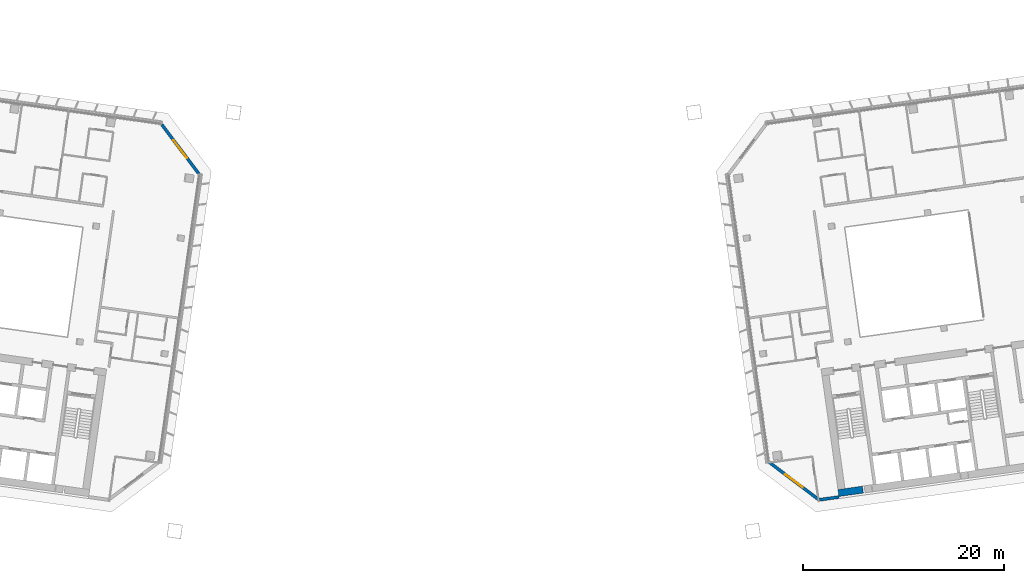
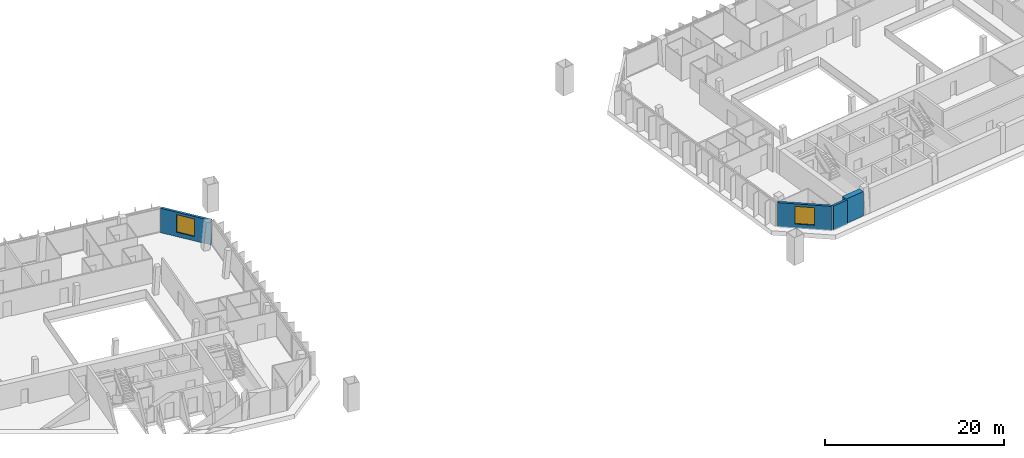
# One storey, part 16 of 22: 4 walls, 2 windows, 2 openings.
"""IFC4 building model written with IfcOpenShell, lengths in metres."""

from ifc_helpers import new_model, si_unit, direction, frame, frame_2d, origin, place, context, subcontext, project, spatial, rectangle, extrude, material, layer, layer_set, type_object, element, fill, save


model = new_model("IFC4")

# Units and contexts
model_context = context("Model", 3, precision=1e-05, world=origin(), true_north=direction((0.0, 1.0)))
body_context = subcontext(model_context, "Body", "Model", "MODEL_VIEW")
ifc_project = project(units=[si_unit("LENGTHUNIT", "METRE"), si_unit("AREAUNIT", "SQUARE_METRE"), si_unit("VOLUMEUNIT", "CUBIC_METRE"), si_unit("PLANEANGLEUNIT", "RADIAN"), si_unit("MASSUNIT", "GRAM", prefix="KILO")], contexts=[model_context])

# Site, building, storey
site_placement = place(None, origin())
site = spatial("IfcSite", under=ifc_project, at=site_placement, CompositionType="ELEMENT")
building_placement = place(site_placement, origin())
building = spatial("IfcBuilding", under=site, at=building_placement, Name="Mirante Cascada Hotel Towers", CompositionType="ELEMENT")
storey_placement = place(building_placement, frame((0.0, 0.0, 191.6)))
storey = spatial("IfcBuildingStorey", under=building, at=storey_placement, Name="L45", CompositionType="ELEMENT", Elevation=191.6)

# Wall, opening, window
ifc_material_1 = material(Name="Precast concrete C40/50", Category="concrete")
ifc_layer_1 = layer(ifc_material_1, 0.3)
ifc_layer_set_1 = layer_set([ifc_layer_1], Name="Precast concrete C40/50 cladding wall 300")
wall_type_1 = type_object("IfcWallType", Name="Precast concrete C40/50 cladding wall 300", PredefinedType="STANDARD", material=ifc_layer_set_1)
wall_1_placement = place(storey_placement, frame((-30.0061, 16.9918, 0.0), z_axis=(0.0, 0.0, 1.0), x_axis=(0.6018141, -0.7986362, 0.0)))
wall_1 = element("IfcWall", 1, at=wall_1_placement, inside=storey, type_object=wall_type_1, Name="Corner cladding wall T1 L45 front inner", PredefinedType="STANDARD", context=body_context, shape_type="SweptSolid", body=[
    extrude(rectangle(XDim=6.1157, YDim=0.3, at=frame_2d((3.0578, 0.0))), origin(), (0.0, 0.0, 1.0), 3.35),
])
opening_1_placement = place(wall_1_placement, frame((1.9578, 0.0, 0.6)))
opening_1 = element("IfcOpeningElement", 2, at=opening_1_placement, cuts=wall_1, Name="Opening W1-45-03", PredefinedType="OPENING", context=body_context, shape_type="SweptSolid", body=[
    extrude(rectangle(XDim=2.2, YDim=2.4, at=frame_2d((1.1, 1.2))), frame((0.0, 0.15, 0.0), z_axis=(0.0, -1.0, 0.0), x_axis=(1.0, 0.0, 0.0)), (0.0, 0.0, 1.0), 0.3),
])
ifc_material_2 = material(Name="Aluminium frame with clear double glazing", Category="aluminium")
window_type = type_object("IfcWindowType", Name="Corner suite window 2200x2400", PartitioningType="DOUBLE_PANEL_VERTICAL", PredefinedType="WINDOW", material=ifc_material_2)
window_1_placement = place(opening_1_placement, origin())
window_1 = element("IfcWindow", 3, at=window_1_placement, inside=storey, type_object=window_type, Name="Window W1-45-03", OverallHeight=2.4, OverallWidth=2.2, PartitioningType="SINGLE_PANEL", PredefinedType="WINDOW", context=body_context, shape_type="SweptSolid", body=[
    extrude(rectangle(XDim=2.2, YDim=2.4, at=frame_2d((1.1, 1.2))), frame((0.0, 0.03, 0.0), z_axis=(0.0, -1.0, 0.0), x_axis=(1.0, 0.0, 0.0)), (0.0, 0.0, 1.0), 0.06),
])
fill(opening_1, window_1)

# Wall
wall_2_placement = place(storey_placement, frame((35.3517, -20.2831, 0.0), z_axis=(0.0, 0.0, 1.0), x_axis=(0.9902668, 0.1391824, 0.0)))
element("IfcWall", 4, at=wall_2_placement, inside=storey, type_object=wall_type_1, Name="Rear cladding wall T2 L45 1", PredefinedType="STANDARD", context=body_context, shape_type="SweptSolid", body=[
    extrude(rectangle(XDim=1.9449, YDim=0.3, at=frame_2d((0.9724, 0.0))), origin(), (0.0, 0.0, 1.0), 3.35),
])

# Wall, opening, window
wall_3_placement = place(storey_placement, frame((30.3565, -16.5739, 0.0), z_axis=(0.0, 0.0, 1.0), x_axis=(0.7986362, -0.6018141, 0.0)))
wall_3 = element("IfcWall", 5, at=wall_3_placement, inside=storey, type_object=wall_type_1, Name="Corner cladding wall T2 L45 inner rear", PredefinedType="STANDARD", context=body_context, shape_type="SweptSolid", body=[
    extrude(rectangle(XDim=6.1157, YDim=0.3, at=frame_2d((3.0578, 0.0))), origin(), (0.0, 0.0, 1.0), 3.35),
])
opening_2_placement = place(wall_3_placement, frame((1.9578, 0.0, 0.6)))
opening_2 = element("IfcOpeningElement", 6, at=opening_2_placement, cuts=wall_3, Name="Opening W2-45-04", PredefinedType="OPENING", context=body_context, shape_type="SweptSolid", body=[
    extrude(rectangle(XDim=2.2, YDim=2.4, at=frame_2d((1.1, 1.2))), frame((0.0, 0.15, 0.0), z_axis=(0.0, -1.0, 0.0), x_axis=(1.0, 0.0, 0.0)), (0.0, 0.0, 1.0), 0.3),
])
window_2_placement = place(opening_2_placement, origin())
window_2 = element("IfcWindow", 7, at=window_2_placement, inside=storey, type_object=window_type, Name="Window W2-45-04", OverallHeight=2.4, OverallWidth=2.2, PartitioningType="SINGLE_PANEL", PredefinedType="WINDOW", context=body_context, shape_type="SweptSolid", body=[
    extrude(rectangle(XDim=2.2, YDim=2.4, at=frame_2d((1.1, 1.2))), frame((0.0, 0.03, 0.0), z_axis=(0.0, -1.0, 0.0), x_axis=(1.0, 0.0, 0.0)), (0.0, 0.0, 1.0), 0.06),
])
fill(opening_2, window_2)

# Wall
ifc_material_3 = material(Name="Concrete C50/60", Category="concrete")
ifc_layer_2 = layer(ifc_material_3, 0.7)
ifc_layer_set_2 = layer_set([ifc_layer_2], Name="RC core wall 700 C50/60")
wall_type_2 = type_object("IfcWallType", Name="RC core wall 700 C50/60", PredefinedType="SHEAR", material=ifc_layer_set_2)
wall_4_placement = place(storey_placement, frame((37.222, -19.6163, 0.0), z_axis=(0.0, 0.0, 1.0), x_axis=(0.9902722, 0.1391436, 0.0)))
element("IfcWall", 8, at=wall_4_placement, inside=storey, type_object=wall_type_2, Name="Core wall T2:L45:1.1", PredefinedType="SHEAR", context=body_context, shape_type="SweptSolid", body=[
    extrude(rectangle(XDim=2.4529, YDim=0.7, at=frame_2d((1.2264, 0.0))), origin(), (0.0, 0.0, 1.0), 3.35),
])

save(model, "model.ifc")
